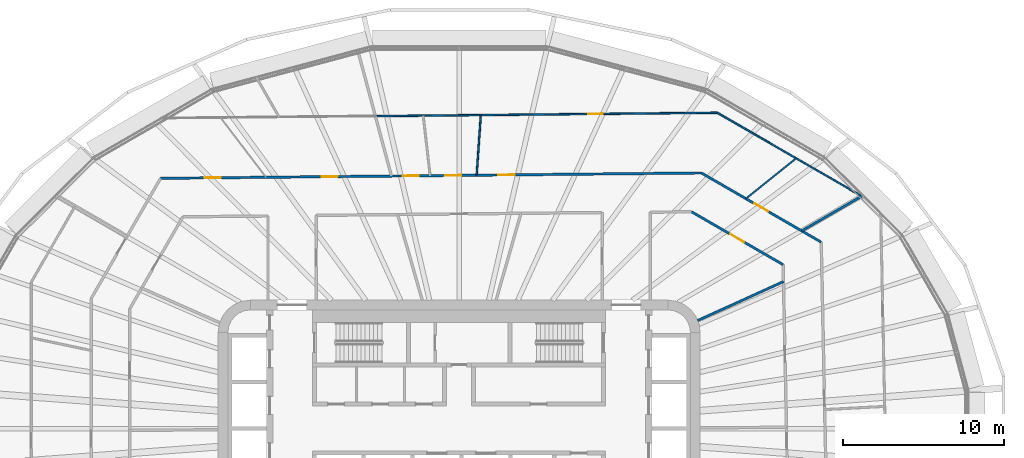
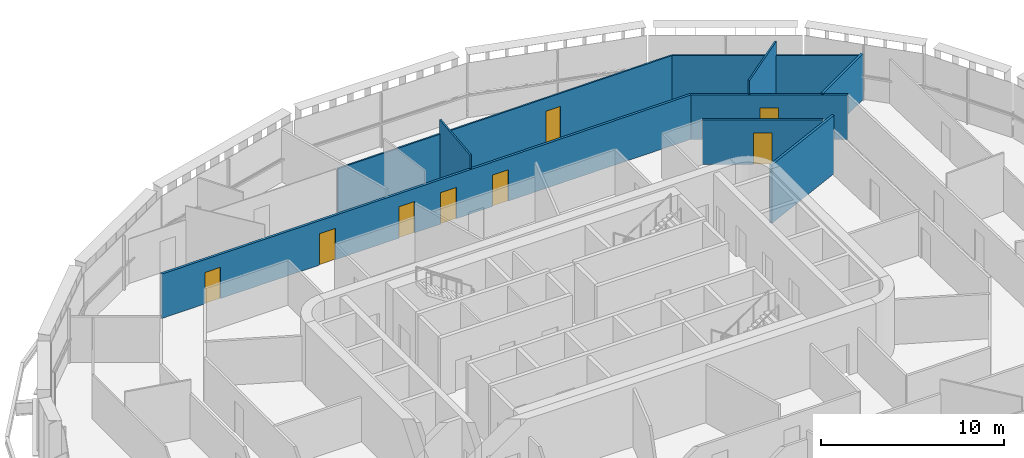
# One storey, part 18 of 26: 9 walls, 8 doors, 8 openings.
"""IFC4 building model written with IfcOpenShell, lengths in metres."""

from ifc_helpers import new_model, si_unit, direction, frame, frame_2d, origin, place, context, subcontext, project, spatial, rectangle, extrude, material, layer, layer_set, type_object, element, fill, save


model = new_model("IFC4")

# Units and contexts
model_context = context("Model", 3, precision=1e-05, world=origin(), true_north=direction((0.0, 1.0)))
body_context = subcontext(model_context, "Body", "Model", "MODEL_VIEW")
ifc_project = project(units=[si_unit("LENGTHUNIT", "METRE"), si_unit("AREAUNIT", "SQUARE_METRE"), si_unit("VOLUMEUNIT", "CUBIC_METRE"), si_unit("PLANEANGLEUNIT", "RADIAN"), si_unit("MASSUNIT", "GRAM", prefix="KILO")], contexts=[model_context])

# Site, building, storey
site_placement = place(None, origin())
site = spatial("IfcSite", under=ifc_project, at=site_placement, CompositionType="ELEMENT")
building_placement = place(site_placement, origin())
building = spatial("IfcBuilding", under=site, at=building_placement, Name="Sahrelin Media Tower", CompositionType="ELEMENT")
storey_placement = place(building_placement, frame((0.0, 0.0, 88.199951171875)))
storey = spatial("IfcBuildingStorey", under=building, at=storey_placement, Name="L16", CompositionType="ELEMENT", Elevation=88.199951171875)

# Wall, opening, door
ifc_material_1 = material(Name="Fire-rated gypsum board partition")
ifc_layer_1 = layer(ifc_material_1, 0.14990234375)
ifc_layer_set_1 = layer_set([ifc_layer_1], Name="Fire-rated partition 150")
wall_type_1 = type_object("IfcWallType", Name="Fire-rated partition 150", PredefinedType="PARTITIONING", material=ifc_layer_set_1)
wall_1_placement = place(storey_placement, frame((14.447998046875, 13.514892578125, 0.0), z_axis=(0.0, 0.0, 1.0), x_axis=(0.866032288321, -0.499988075443, 0.0)))
wall_1 = element("IfcWall", 1, at=wall_1_placement, inside=storey, type_object=wall_type_1, Name="Wall", PredefinedType="PARTITIONING", context=body_context, shape_type="SweptSolid", body=[
    extrude(rectangle(XDim=6.603759765625, YDim=0.14990234375, at=frame_2d((3.3017578125, 0.0))), origin(), (0.0, 0.0, 1.0), 2.96826171875),
])
opening_1_placement = place(wall_1_placement, frame((2.8017578125, 0.0, 0.0)))
opening_1 = element("IfcOpeningElement", 2, at=opening_1_placement, cuts=wall_1, Name="Opening L16-D27", PredefinedType="OPENING", context=body_context, shape_type="SweptSolid", body=[
    extrude(rectangle(XDim=1.0, YDim=2.10009765625, at=frame_2d((0.5, 1.050048828125))), frame((0.0, 0.074951171875, 0.0), z_axis=(0.0, -1.0, 0.0), x_axis=(1.0, 0.0, 0.0)), (0.0, 0.0, 1.0), 0.14990234375),
])
ifc_material_2 = material(Name="Steel fire door leaf", Category="steel")
door_type_1 = type_object("IfcDoorType", Name="Fire door 1000 x 2100 EI 60", OperationType="NOTDEFINED", PredefinedType="DOOR", material=ifc_material_2)
door_1_placement = place(opening_1_placement, origin())
door_1 = element("IfcDoor", 3, at=door_1_placement, inside=storey, type_object=door_type_1, Name="Fire door", OperationType="SINGLE_SWING_RIGHT", OverallHeight=2.10009765625, OverallWidth=1.0, PredefinedType="DOOR", context=body_context, shape_type="SweptSolid", body=[
    extrude(rectangle(XDim=1.0, YDim=2.10009765625, at=frame_2d((0.5, 1.050048828125))), frame((0.0, 0.02490234375, 0.0), z_axis=(0.0, -1.0, 0.0), x_axis=(1.0, 0.0, 0.0)), (0.0, 0.0, 1.0), 0.050048828125),
])
fill(opening_1, door_1)

wall_2_placement = place(storey_placement, frame((15.080078125, 15.9208984375, 0.0), z_axis=(0.0, 0.0, 1.0), x_axis=(0.866020838546, -0.500007907142, 0.0)))
wall_2 = element("IfcWall", 4, at=wall_2_placement, inside=storey, type_object=wall_type_1, Name="Wall", PredefinedType="PARTITIONING", context=body_context, shape_type="SweptSolid", body=[
    extrude(rectangle(XDim=8.612548828125, YDim=0.14990234375, at=frame_2d((4.30615234375, 0.0))), origin(), (0.0, 0.0, 1.0), 2.96826171875),
])
opening_2_placement = place(wall_2_placement, frame((3.807373046875, 0.0, 0.0)))
opening_2 = element("IfcOpeningElement", 5, at=opening_2_placement, cuts=wall_2, Name="Opening L16-D41", PredefinedType="OPENING", context=body_context, shape_type="SweptSolid", body=[
    extrude(rectangle(XDim=1.0, YDim=2.10009765625, at=frame_2d((0.5, 1.050048828125))), frame((0.0, 0.074951171875, 0.0), z_axis=(0.0, -1.0, 0.0), x_axis=(1.0, 0.0, 0.0)), (0.0, 0.0, 1.0), 0.14990234375),
])
door_2_placement = place(opening_2_placement, origin())
door_2 = element("IfcDoor", 6, at=door_2_placement, inside=storey, type_object=door_type_1, Name="Fire door", OperationType="SINGLE_SWING_LEFT", OverallHeight=2.10009765625, OverallWidth=1.0, PredefinedType="DOOR", context=body_context, shape_type="SweptSolid", body=[
    extrude(rectangle(XDim=1.0, YDim=2.10009765625, at=frame_2d((0.5, 1.050048828125))), frame((0.0, 0.02490234375, 0.0), z_axis=(0.0, -1.0, 0.0), x_axis=(1.0, 0.0, 0.0)), (0.0, 0.0, 1.0), 0.050048828125),
])
fill(opening_2, door_2)

# Wall, openings, doors
wall_3_placement = place(storey_placement, frame((-18.5869140625, 15.5869140625, 0.0), z_axis=(0.0, 0.0, 1.0), x_axis=(0.99995087003, 0.009912493396, 0.0)))
wall_3 = element("IfcWall", 7, at=wall_3_placement, inside=storey, type_object=wall_type_1, Name="Wall", PredefinedType="PARTITIONING", context=body_context, shape_type="SweptSolid", body=[
    extrude(rectangle(XDim=33.668701171875, YDim=0.14990234375, at=frame_2d((16.83447265625, 0.0))), origin(), (0.0, 0.0, 1.0), 2.96826171875),
])
opening_3_placement = place(wall_3_placement, frame((21.034423828125, 0.0, 0.0)))
opening_3 = element("IfcOpeningElement", 8, at=opening_3_placement, cuts=wall_3, Name="Opening L16-D42", PredefinedType="OPENING", context=body_context, shape_type="SweptSolid", body=[
    extrude(rectangle(XDim=1.0, YDim=2.10009765625, at=frame_2d((0.5, 1.050048828125))), frame((0.0, 0.074951171875, 0.0), z_axis=(0.0, -1.0, 0.0), x_axis=(1.0, 0.0, 0.0)), (0.0, 0.0, 1.0), 0.14990234375),
])
opening_4_placement = place(wall_3_placement, frame((17.72998046875, 0.0, 0.0)))
opening_4 = element("IfcOpeningElement", 9, at=opening_4_placement, cuts=wall_3, Name="Opening L16-D43", PredefinedType="OPENING", context=body_context, shape_type="SweptSolid", body=[
    extrude(rectangle(XDim=1.0, YDim=2.10009765625, at=frame_2d((0.5, 1.050048828125))), frame((0.0, 0.074951171875, 0.0), z_axis=(0.0, -1.0, 0.0), x_axis=(1.0, 0.0, 0.0)), (0.0, 0.0, 1.0), 0.14990234375),
])
opening_5_placement = place(wall_3_placement, frame((15.0771484375, 0.0, 0.0)))
opening_5 = element("IfcOpeningElement", 10, at=opening_5_placement, cuts=wall_3, Name="Opening L16-D44", PredefinedType="OPENING", context=body_context, shape_type="SweptSolid", body=[
    extrude(rectangle(XDim=1.0, YDim=2.10009765625, at=frame_2d((0.5, 1.050048828125))), frame((0.0, 0.074951171875, 0.0), z_axis=(0.0, -1.0, 0.0), x_axis=(1.0, 0.0, 0.0)), (0.0, 0.0, 1.0), 0.14990234375),
])
opening_6_placement = place(wall_3_placement, frame((10.026123046875, 0.0, 0.0)))
opening_6 = element("IfcOpeningElement", 11, at=opening_6_placement, cuts=wall_3, Name="Opening L16-D46", PredefinedType="OPENING", context=body_context, shape_type="SweptSolid", body=[
    extrude(rectangle(XDim=1.0, YDim=2.10009765625, at=frame_2d((0.5, 1.050048828125))), frame((0.0, 0.074951171875, 0.0), z_axis=(0.0, -1.0, 0.0), x_axis=(1.0, 0.0, 0.0)), (0.0, 0.0, 1.0), 0.14990234375),
])
opening_7_placement = place(wall_3_placement, frame((2.73681640625, 0.0, 0.0)))
opening_7 = element("IfcOpeningElement", 12, at=opening_7_placement, cuts=wall_3, Name="Opening L16-D47", PredefinedType="OPENING", context=body_context, shape_type="SweptSolid", body=[
    extrude(rectangle(XDim=1.0, YDim=2.10009765625, at=frame_2d((0.5, 1.050048828125))), frame((0.0, 0.074951171875, 0.0), z_axis=(0.0, -1.0, 0.0), x_axis=(1.0, 0.0, 0.0)), (0.0, 0.0, 1.0), 0.14990234375),
])
door_3_placement = place(opening_3_placement, origin())
door_3 = element("IfcDoor", 13, at=door_3_placement, inside=storey, type_object=door_type_1, Name="Fire door", OperationType="SINGLE_SWING_RIGHT", OverallHeight=2.10009765625, OverallWidth=1.0, PredefinedType="DOOR", context=body_context, shape_type="SweptSolid", body=[
    extrude(rectangle(XDim=1.0, YDim=2.10009765625, at=frame_2d((0.5, 1.050048828125))), frame((0.0, 0.02490234375, 0.0), z_axis=(0.0, -1.0, 0.0), x_axis=(1.0, 0.0, 0.0)), (0.0, 0.0, 1.0), 0.050048828125),
])
fill(opening_3, door_3)
door_4_placement = place(opening_4_placement, origin())
door_4 = element("IfcDoor", 14, at=door_4_placement, inside=storey, type_object=door_type_1, Name="Fire door", OperationType="SINGLE_SWING_RIGHT", OverallHeight=2.10009765625, OverallWidth=1.0, PredefinedType="DOOR", context=body_context, shape_type="SweptSolid", body=[
    extrude(rectangle(XDim=1.0, YDim=2.10009765625, at=frame_2d((0.5, 1.050048828125))), frame((0.0, 0.02490234375, 0.0), z_axis=(0.0, -1.0, 0.0), x_axis=(1.0, 0.0, 0.0)), (0.0, 0.0, 1.0), 0.050048828125),
])
fill(opening_4, door_4)
door_5_placement = place(opening_5_placement, origin())
door_5 = element("IfcDoor", 15, at=door_5_placement, inside=storey, type_object=door_type_1, Name="Fire door", OperationType="SINGLE_SWING_LEFT", OverallHeight=2.10009765625, OverallWidth=1.0, PredefinedType="DOOR", context=body_context, shape_type="SweptSolid", body=[
    extrude(rectangle(XDim=1.0, YDim=2.10009765625, at=frame_2d((0.5, 1.050048828125))), frame((0.0, 0.02490234375, 0.0), z_axis=(0.0, -1.0, 0.0), x_axis=(1.0, 0.0, 0.0)), (0.0, 0.0, 1.0), 0.050048828125),
])
fill(opening_5, door_5)
door_6_placement = place(opening_6_placement, origin())
door_6 = element("IfcDoor", 16, at=door_6_placement, inside=storey, type_object=door_type_1, Name="Fire door", OperationType="SINGLE_SWING_LEFT", OverallHeight=2.10009765625, OverallWidth=1.0, PredefinedType="DOOR", context=body_context, shape_type="SweptSolid", body=[
    extrude(rectangle(XDim=1.0, YDim=2.10009765625, at=frame_2d((0.5, 1.050048828125))), frame((0.0, 0.02490234375, 0.0), z_axis=(0.0, -1.0, 0.0), x_axis=(1.0, 0.0, 0.0)), (0.0, 0.0, 1.0), 0.050048828125),
])
fill(opening_6, door_6)
door_7_placement = place(opening_7_placement, origin())
door_7 = element("IfcDoor", 17, at=door_7_placement, inside=storey, type_object=door_type_1, Name="Fire door", OperationType="SINGLE_SWING_RIGHT", OverallHeight=2.10009765625, OverallWidth=1.0, PredefinedType="DOOR", context=body_context, shape_type="SweptSolid", body=[
    extrude(rectangle(XDim=1.0, YDim=2.10009765625, at=frame_2d((0.5, 1.050048828125))), frame((0.0, 0.02490234375, 0.0), z_axis=(0.0, -1.0, 0.0), x_axis=(1.0, 0.0, 0.0)), (0.0, 0.0, 1.0), 0.050048828125),
])
fill(opening_7, door_7)

# Walls
wall_4_placement = place(storey_placement, frame((14.843017578125, 6.73291015625, 0.0), z_axis=(0.0, 0.0, 1.0), x_axis=(0.910628361306, 0.413226315214, 0.0)))
element("IfcWall", 18, at=wall_4_placement, inside=storey, type_object=wall_type_1, Name="Wall", PredefinedType="PARTITIONING", context=body_context, shape_type="SweptSolid", body=[
    extrude(rectangle(XDim=5.870361328125, YDim=0.14990234375, at=frame_2d((2.93505859375, 0.0))), origin(), (0.0, 0.0, 1.0), 3.900146484375),
])
wall_5_placement = place(storey_placement, frame((21.3291015625, 12.31396484375, 0.0), z_axis=(0.0, 0.0, 1.0), x_axis=(0.865416132284, 0.501053807472, 0.0)))
element("IfcWall", 19, at=wall_5_placement, inside=storey, type_object=wall_type_1, Name="Wall", PredefinedType="PARTITIONING", context=body_context, shape_type="SweptSolid", body=[
    extrude(rectangle(XDim=4.39013671875, YDim=0.14990234375, at=frame_2d((2.195068359375, 0.0))), origin(), (0.0, 0.0, 1.0), 3.045166015625),
])
ifc_material_3 = material(Name="Gypsum board partition")
ifc_layer_2 = layer(ifc_material_3, 0.10009765625)
ifc_layer_set_2 = layer_set([ifc_layer_2], Name="Partition 100")
wall_type_2 = type_object("IfcWallType", Name="Partition 100", PredefinedType="PARTITIONING", material=ifc_layer_set_2)
wall_6_placement = place(storey_placement, frame((16.06494140625, 19.6708984375, 0.0), z_axis=(0.0, 0.0, 1.0), x_axis=(0.866058502288, -0.499942667328, 0.0)))
element("IfcWall", 20, at=wall_6_placement, inside=storey, type_object=wall_type_2, Name="Wall", PredefinedType="PARTITIONING", context=body_context, shape_type="SweptSolid", body=[
    extrude(rectangle(XDim=10.396728515625, YDim=0.10009765625, at=frame_2d((5.1982421875, 0.0))), origin(), (0.0, 0.0, 1.0), 2.96826171875),
])

# Wall, opening, door
wall_7_placement = place(storey_placement, frame((-5.215087890625, 19.4599609375, 0.0), z_axis=(0.0, 0.0, 1.0), x_axis=(0.999950988801, 0.00990050484, 0.0)))
wall_7 = element("IfcWall", 21, at=wall_7_placement, inside=storey, type_object=wall_type_2, Name="Wall", PredefinedType="PARTITIONING", context=body_context, shape_type="SweptSolid", body=[
    extrude(rectangle(XDim=21.281005859375, YDim=0.10009765625, at=frame_2d((10.640625, 0.0))), origin(), (0.0, 0.0, 1.0), 2.96826171875),
])
opening_8_placement = place(wall_7_placement, frame((13.2548828125, 0.0, 0.0)))
opening_8 = element("IfcOpeningElement", 22, at=opening_8_placement, cuts=wall_7, Name="Opening L16-D45", PredefinedType="OPENING", context=body_context, shape_type="SweptSolid", body=[
    extrude(rectangle(XDim=0.89990234375, YDim=2.10009765625, at=frame_2d((0.449951171875, 1.050048828125))), frame((0.0, 0.050048828125, 0.0), z_axis=(0.0, -1.0, 0.0), x_axis=(1.0, 0.0, 0.0)), (0.0, 0.0, 1.0), 0.10009765625),
])
ifc_material_4 = material(Name="Timber door leaf", Category="wood")
door_type_2 = type_object("IfcDoorType", Name="Single door 900 x 2100", OperationType="NOTDEFINED", PredefinedType="DOOR", material=ifc_material_4)
door_8_placement = place(opening_8_placement, origin())
door_8 = element("IfcDoor", 23, at=door_8_placement, inside=storey, type_object=door_type_2, Name="Single door", OperationType="SINGLE_SWING_RIGHT", OverallHeight=2.10009765625, OverallWidth=0.89990234375, PredefinedType="DOOR", context=body_context, shape_type="SweptSolid", body=[
    extrude(rectangle(XDim=0.89990234375, YDim=2.10009765625, at=frame_2d((0.449951171875, 1.050048828125))), frame((0.0, 0.02490234375, 0.0), z_axis=(0.0, -1.0, 0.0), x_axis=(1.0, 0.0, 0.0)), (0.0, 0.0, 1.0), 0.050048828125),
])
fill(opening_8, door_8)

# Walls
wall_8_placement = place(storey_placement, frame((17.84912109375, 14.322998046875, 0.0), z_axis=(0.0, 0.0, 1.0), x_axis=(0.7800073623, 0.625770337071, 0.0)))
element("IfcWall", 24, at=wall_8_placement, inside=storey, type_object=wall_type_2, Name="Wall", PredefinedType="PARTITIONING", context=body_context, shape_type="SweptSolid", body=[
    extrude(rectangle(XDim=4.0126953125, YDim=0.10009765625, at=frame_2d((2.00634765625, 0.0))), origin(), (0.0, 0.0, 1.0), 3.900146484375),
])
wall_9_placement = place(storey_placement, frame((1.089111328125, 15.782958984375, 0.0), z_axis=(0.0, 0.0, 1.0), x_axis=(0.068735075686, 0.99763494795, 0.0)))
element("IfcWall", 25, at=wall_9_placement, inside=storey, type_object=wall_type_2, Name="Wall", PredefinedType="PARTITIONING", context=body_context, shape_type="SweptSolid", body=[
    extrude(rectangle(XDim=3.750732421875, YDim=0.10009765625, at=frame_2d((1.87548828125, 0.0))), origin(), (0.0, 0.0, 1.0), 3.900146484375),
])

save(model, "model.ifc")
